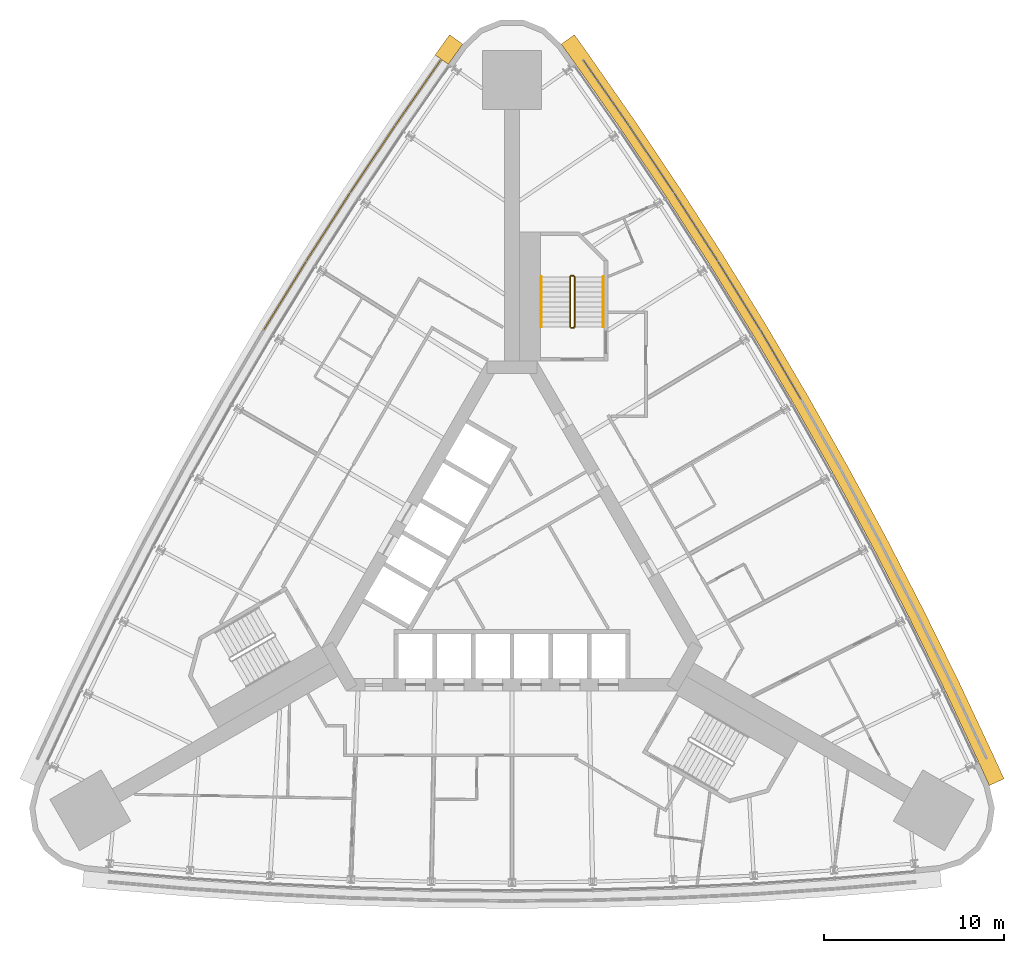
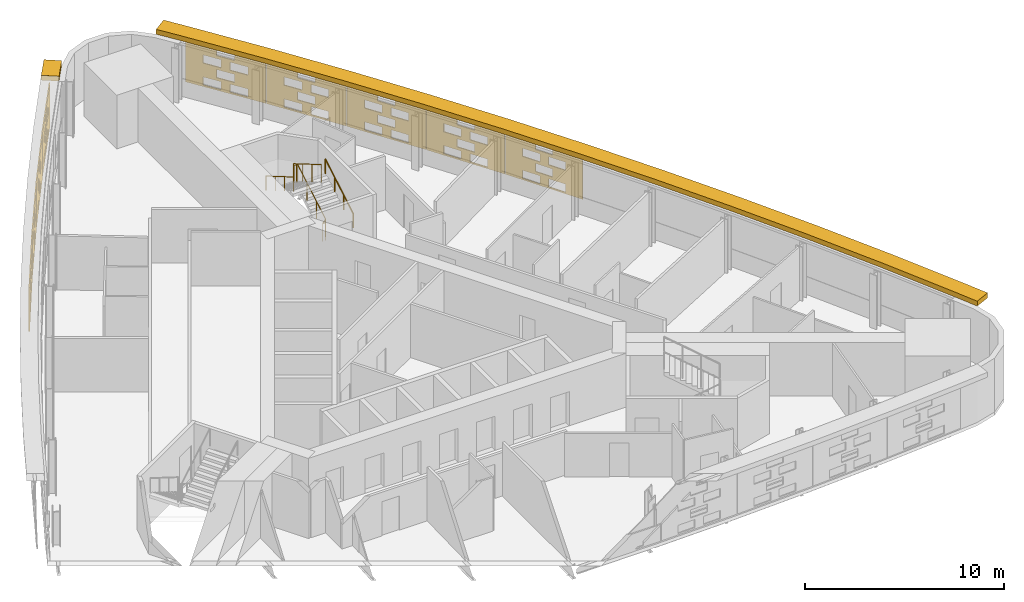
# One storey, part 15 of 15: 11 shading devices, 3 railings.
"""IFC4 building model written with IfcOpenShell, lengths in metres."""

from ifc_helpers import new_model, si_unit, direction, frame, origin, origin_2d, place, context, subcontext, project, spatial, polyline, circle, outline, extrude, material, material_profile, profile_set, type_object, element, save


model = new_model("IFC4")

# Units and contexts
model_context = context("Model", 3, precision=1e-05, world=origin(), true_north=direction((0.0, 1.0)))
body_context = subcontext(model_context, "Body", "Model", "MODEL_VIEW")
ifc_project = project(units=[si_unit("LENGTHUNIT", "METRE"), si_unit("AREAUNIT", "SQUARE_METRE"), si_unit("VOLUMEUNIT", "CUBIC_METRE"), si_unit("PLANEANGLEUNIT", "RADIAN"), si_unit("MASSUNIT", "GRAM", prefix="KILO")], contexts=[model_context])

# Site, building, storey
site_placement = place(None, origin())
site = spatial("IfcSite", under=ifc_project, at=site_placement, CompositionType="ELEMENT")
building_placement = place(site_placement, origin())
building = spatial("IfcBuilding", under=site, at=building_placement, Name="Noor Cloister Tower", CompositionType="ELEMENT")
storey_placement = place(building_placement, frame((0.0, 0.0, 49.199951171875)))
storey = spatial("IfcBuildingStorey", under=building, at=storey_placement, Name="L12", CompositionType="ELEMENT", Elevation=49.199951171875)

# Shading devices
ifc_material_1 = material(Name="Limestone", Category="masonry")
ifc_material_profile = material_profile(ifc_material_1, outline(polyline([(-2.22998046875, -1.35009765625), (2.22998046875, -1.35009765625), (2.22998046875, 1.35009765625), (-2.22998046875, 1.35009765625), (-2.22998046875, -1.35009765625)]), holes=[polyline([(-1.25, -1.263427734375), (-0.25, -1.263427734375), (-0.25, -0.76171875), (-1.25, -0.76171875), (-1.25, -1.263427734375)]), polyline([(0.25, -1.263427734375), (1.25, -1.263427734375), (1.25, -0.76171875), (0.25, -0.76171875), (0.25, -1.263427734375)]), polyline([(-0.5, -0.58837890625), (0.5, -0.58837890625), (0.5, -0.086669921875), (-0.5, -0.086669921875), (-0.5, -0.58837890625)]), polyline([(-1.25, 0.086669921875), (-0.25, 0.086669921875), (-0.25, 0.58837890625), (-1.25, 0.58837890625), (-1.25, 0.086669921875)]), polyline([(0.25, 0.086669921875), (1.25, 0.086669921875), (1.25, 0.58837890625), (0.25, 0.58837890625), (0.25, 0.086669921875)]), polyline([(-0.5, 0.76171875), (0.5, 0.76171875), (0.5, 1.263427734375), (-0.5, 1.263427734375), (-0.5, 0.76171875)])]), Name="Woven screen 25 percent open")
ifc_profile_set = profile_set([ifc_material_profile], Name="Limestone")
shading_device_type_1 = type_object("IfcShadingDeviceType", Name="SCREEN woven limestone 25 percent open", PredefinedType="USERDEFINED", material=ifc_profile_set)
shading_device_1_placement = place(storey_placement, frame((-5.203857421875, 26.402099609375, 1.85009765625), z_axis=(-0.820572225759, 0.571542843812, 0.0), x_axis=(-0.571542843812, -0.820572225759, 0.0)))
element("IfcShadingDevice", 1, at=shading_device_1_placement, inside=storey, type_object=shading_device_type_1, Name="SCREEN L12 1", ObjectType="SCREEN", PredefinedType="USERDEFINED", context=body_context, shape_type="SweptSolid", body=[
    extrude(outline(polyline([(-2.22998046875, -1.35009765625), (2.22998046875, -1.35009765625), (2.22998046875, 1.35009765625), (-2.22998046875, 1.35009765625), (-2.22998046875, -1.35009765625)]), holes=[polyline([(-1.25, -1.263427734375), (-0.25, -1.263427734375), (-0.25, -0.76171875), (-1.25, -0.76171875), (-1.25, -1.263427734375)]), polyline([(0.25, -1.263427734375), (1.25, -1.263427734375), (1.25, -0.76171875), (0.25, -0.76171875), (0.25, -1.263427734375)]), polyline([(-0.5, -0.58837890625), (0.5, -0.58837890625), (0.5, -0.086669921875), (-0.5, -0.086669921875), (-0.5, -0.58837890625)]), polyline([(-1.25, 0.086669921875), (-0.25, 0.086669921875), (-0.25, 0.58837890625), (-1.25, 0.58837890625), (-1.25, 0.086669921875)]), polyline([(0.25, 0.086669921875), (1.25, 0.086669921875), (1.25, 0.58837890625), (0.25, 0.58837890625), (0.25, 0.086669921875)]), polyline([(-0.5, 0.76171875), (0.5, 0.76171875), (0.5, 1.263427734375), (-0.5, 1.263427734375), (-0.5, 0.76171875)])]), origin(), (0.0, 0.0, 1.0), 0.059814453125),
])
for number, where, z_axis, x_axis, name in (
    (2, (-7.74658203125, 22.67919921875, 1.85009765625), (-0.830167318038, 0.557514326329, 0.0), (-0.557514326329, -0.830167318038, 0.0), "SCREEN L12 2"),
    (3, (-10.218505859375, 18.9091796875, 1.85009765625), (-0.841310503427, 0.540552159207, 0.0), (-0.540552159207, -0.841310503427, 0.0), "SCREEN L12 3"),
    (4, (-12.61865234375, 15.093017578125, 1.85009765625), (-0.850958576931, 0.525232805857, 0.0), (-0.525232805857, -0.850958576931, 0.0), "SCREEN L12 4"),
    (5, (14.9462890625, 11.232177734375, 1.85009765625), (0.863187603129, 0.504883315038, 0.0), (-0.504883315038, 0.863187603129, 0.0), "SCREEN L12 6"),
    (6, (12.61865234375, 15.093017578125, 1.85009765625), (0.850958576931, 0.525232805857, 0.0), (-0.525232805857, 0.850958576931, 0.0), "SCREEN L12 7"),
    (7, (10.218505859375, 18.9091796875, 1.85009765625), (0.841310503427, 0.540552159207, 0.0), (-0.540552159207, 0.841310503427, 0.0), "SCREEN L12 8"),
    (8, (7.74658203125, 22.67919921875, 1.85009765625), (0.830167318038, 0.557514326329, 0.0), (-0.557514326329, 0.830167318038, 0.0), "SCREEN L12 9"),
):
    element("IfcShadingDevice", number, at=place(storey_placement, frame(where, z_axis=z_axis, x_axis=x_axis)), inside=storey, type_object=shading_device_type_1, Name=name, ObjectType="SCREEN", PredefinedType="USERDEFINED", context=body_context, shape_type="SweptSolid", body=[
        extrude(outline(polyline([(-2.22998046875, -1.35009765625), (2.22998046875, -1.35009765625), (2.22998046875, 1.35009765625), (-2.22998046875, 1.35009765625), (-2.22998046875, -1.35009765625)]), holes=[polyline([(-1.25, -1.263427734375), (-0.25, -1.263427734375), (-0.25, -0.76171875), (-1.25, -0.76171875), (-1.25, -1.263427734375)]), polyline([(0.25, -1.263427734375), (1.25, -1.263427734375), (1.25, -0.76171875), (0.25, -0.76171875), (0.25, -1.263427734375)]), polyline([(-0.5, -0.58837890625), (0.5, -0.58837890625), (0.5, -0.086669921875), (-0.5, -0.086669921875), (-0.5, -0.58837890625)]), polyline([(-1.25, 0.086669921875), (-0.25, 0.086669921875), (-0.25, 0.58837890625), (-1.25, 0.58837890625), (-1.25, 0.086669921875)]), polyline([(0.25, 0.086669921875), (1.25, 0.086669921875), (1.25, 0.58837890625), (0.25, 0.58837890625), (0.25, 0.086669921875)]), polyline([(-0.5, 0.76171875), (0.5, 0.76171875), (0.5, 1.263427734375), (-0.5, 1.263427734375), (-0.5, 0.76171875)])]), origin(), (0.0, 0.0, 1.0), 0.06005859375),
    ])
shading_device_2_placement = place(storey_placement, frame((5.203857421875, 26.402099609375, 1.85009765625), z_axis=(0.820572225759, 0.571542843812, 0.0), x_axis=(-0.571542843812, 0.820572225759, 0.0)))
element("IfcShadingDevice", 9, at=shading_device_2_placement, inside=storey, type_object=shading_device_type_1, Name="SCREEN L12 10", ObjectType="SCREEN", PredefinedType="USERDEFINED", context=body_context, shape_type="SweptSolid", body=[
    extrude(outline(polyline([(-2.22998046875, -1.35009765625), (2.22998046875, -1.35009765625), (2.22998046875, 1.35009765625), (-2.22998046875, 1.35009765625), (-2.22998046875, -1.35009765625)]), holes=[polyline([(-1.25, -1.263427734375), (-0.25, -1.263427734375), (-0.25, -0.76171875), (-1.25, -0.76171875), (-1.25, -1.263427734375)]), polyline([(0.25, -1.263427734375), (1.25, -1.263427734375), (1.25, -0.76171875), (0.25, -0.76171875), (0.25, -1.263427734375)]), polyline([(-0.5, -0.58837890625), (0.5, -0.58837890625), (0.5, -0.086669921875), (-0.5, -0.086669921875), (-0.5, -0.58837890625)]), polyline([(-1.25, 0.086669921875), (-0.25, 0.086669921875), (-0.25, 0.58837890625), (-1.25, 0.58837890625), (-1.25, 0.086669921875)]), polyline([(0.25, 0.086669921875), (1.25, 0.086669921875), (1.25, 0.58837890625), (0.25, 0.58837890625), (0.25, 0.086669921875)]), polyline([(-0.5, 0.76171875), (0.5, 0.76171875), (0.5, 1.263427734375), (-0.5, 1.263427734375), (-0.5, 0.76171875)])]), origin(), (0.0, 0.0, 1.0), 0.059814453125),
])
ifc_material_2 = material(Name="Limestone", Category="masonry")
shading_device_type_2 = type_object("IfcShadingDeviceType", Name="SUNSHADE limestone band 900", PredefinedType="USERDEFINED", material=ifc_material_2)
shading_device_3_placement = place(storey_placement, frame((0.0, 0.0, 3.300048828125)))
element("IfcShadingDevice", 10, at=shading_device_3_placement, inside=storey, type_object=shading_device_type_2, Name="SUNSHADE L12 3", ObjectType="SUNSHADE", PredefinedType="USERDEFINED", context=body_context, shape_type="SweptSolid", body=[
    extrude(outline(polyline([(27.4052734375, -11.808837890625), (26.831787109375, -10.54541015625), (24.915283203125, -6.45849609375), (22.92041015625, -2.40576171875), (20.849365234375, 1.6083984375), (18.702880859375, 5.58251953125), (16.4814453125, 9.515625), (14.18603515625, 13.40576171875), (11.817626953125, 17.251953125), (9.376708984375, 21.052734375), (6.864501953125, 24.806396484375), (4.283203125, 28.509765625), (3.475830078125, 29.63818359375), (2.743896484375, 29.1142578125), (3.548095703125, 27.990478515625), (6.12109375, 24.298828125), (8.6240234375, 20.55908203125), (11.0556640625, 16.77294921875), (13.415283203125, 12.941162109375), (15.7021484375, 9.065673828125), (17.9150390625, 5.1474609375), (20.053466796875, 1.18798828125), (22.11669921875, -2.81103515625), (24.10400390625, -6.848388671875), (26.014404296875, -10.922607421875), (26.585693359375, -12.180908203125), (27.4052734375, -11.808837890625)])), origin(), (0.0, 0.0, 1.0), 0.300048828125),
])
shading_device_4_placement = place(storey_placement, frame((0.0, 0.0, 3.300048828125)))
element("IfcShadingDevice", 11, at=shading_device_4_placement, inside=storey, type_object=shading_device_type_2, Name="SUNSHADE L12 4", ObjectType="SUNSHADE", PredefinedType="USERDEFINED", context=body_context, shape_type="SweptSolid", body=[
    extrude(outline(polyline([(-3.475830078125, 29.63818359375), (-4.280029296875, 28.51416015625), (-3.548095703125, 27.990478515625), (-2.743896484375, 29.1142578125), (-3.475830078125, 29.63818359375)])), origin(), (0.0, 0.0, 1.0), 0.300048828125),
])

# Railings
ifc_material_3 = material(Name="Stainless steel", Category="steel")
railing_type_1 = type_object("IfcRailingType", Name="Stair guard 1100", PredefinedType="GUARDRAIL", material=ifc_material_3)
railing_1_placement = place(storey_placement, frame((3.435546875, 13.306396484375, 0.0)))
element("IfcRailing", 12, at=railing_1_placement, inside=storey, type_object=railing_type_1, Name="Stair guard ST1 L12", PredefinedType="GUARDRAIL", context=body_context, shape_type="SweptSolid", body=[
    extrude(circle(Radius=0.02392578125, at=origin_2d()), frame((0.0, 0.0, 1.076171875), z_axis=(-1.0, 0.0, 0.0), x_axis=(0.0, -1.0, 0.0)), (0.0, 0.0, 1.0), 0.14990234375),
    extrude(circle(Radius=0.02392578125, at=origin_2d()), frame((-0.14990234375, 0.0, 1.076171875), z_axis=(0.759870394187, 0.190199549216, 0.621627795), x_axis=(-0.242814311512, 0.970072785993, 0.0)), (0.0, 0.0, 1.0), 0.26318359375),
    extrude(circle(Radius=0.02392578125, at=origin_2d()), frame((0.050048828125, 0.050048828125, 1.23974609375), z_axis=(0.0, 0.863360870873, 0.504586966384), x_axis=(-1.0, 0.0, 0.0)), (0.0, 0.0, 1.0), 3.2431640625),
    extrude(circle(Radius=0.02392578125, at=origin_2d()), frame((0.050048828125, 2.85009765625, 2.8759765625), z_axis=(-0.708833529934, 0.705375805398, 0.0), x_axis=(-0.705375805398, -0.708833529934, 0.0)), (0.0, 0.0, 1.0), 0.070556640625),
    extrude(circle(Radius=0.02392578125, at=origin_2d()), frame((0.0, 2.89990234375, 2.8759765625), z_axis=(-1.0, 0.0, 0.0), x_axis=(0.0, -1.0, 0.0)), (0.0, 0.0, 1.0), 0.14990234375),
    extrude(circle(Radius=0.02392578125, at=origin_2d()), frame((-0.14990234375, 2.89990234375, 2.8759765625), z_axis=(-0.280916556609, -0.279546231943, 0.91811752648), x_axis=(0.705375805398, -0.708833529934, 0.0)), (0.0, 0.0, 1.0), 0.17822265625),
    extrude(circle(Radius=0.02392578125, at=origin_2d()), frame((-0.199951171875, 2.85009765625, 3.03955078125), z_axis=(0.0, -0.863360870873, 0.504586966384), x_axis=(1.0, 0.0, 0.0)), (0.0, 0.0, 1.0), 3.2431640625),
    extrude(circle(Radius=0.02099609375, at=origin_2d()), origin(), (0.0, 0.0, 1.0), 1.052001953125),
    extrude(circle(Radius=0.02099609375, at=origin_2d()), frame((-0.14990234375, 0.0, 0.0)), (0.0, 0.0, 1.0), 1.052001953125),
    extrude(circle(Radius=0.02099609375, at=origin_2d()), frame((0.050048828125, 0.050048828125, 0.16357421875)), (0.0, 0.0, 1.0), 1.052001953125),
    extrude(circle(Radius=0.02099609375, at=origin_2d()), frame((0.050048828125, 0.9833984375, 0.708984375)), (0.0, 0.0, 1.0), 1.052001953125),
    extrude(circle(Radius=0.02099609375, at=origin_2d()), frame((0.050048828125, 1.916748046875, 1.254638671875)), (0.0, 0.0, 1.0), 1.052001953125),
    extrude(circle(Radius=0.02099609375, at=origin_2d()), frame((0.050048828125, 2.85009765625, 1.800048828125)), (0.0, 0.0, 1.0), 1.052001953125),
    extrude(circle(Radius=0.02099609375, at=origin_2d()), frame((0.0, 2.89990234375, 1.800048828125)), (0.0, 0.0, 1.0), 1.052001953125),
    extrude(circle(Radius=0.02099609375, at=origin_2d()), frame((-0.14990234375, 2.89990234375, 1.800048828125)), (0.0, 0.0, 1.0), 1.052001953125),
    extrude(circle(Radius=0.02099609375, at=origin_2d()), frame((-0.199951171875, 2.85009765625, 1.963623046875)), (0.0, 0.0, 1.0), 1.052001953125),
    extrude(circle(Radius=0.02099609375, at=origin_2d()), frame((-0.199951171875, 1.916748046875, 2.509033203125)), (0.0, 0.0, 1.0), 1.052001953125),
    extrude(circle(Radius=0.02099609375, at=origin_2d()), frame((-0.199951171875, 0.9833984375, 3.0546875)), (0.0, 0.0, 1.0), 1.052001953125),
    extrude(circle(Radius=0.02099609375, at=origin_2d()), frame((-0.199951171875, 0.050048828125, 3.60009765625)), (0.0, 0.0, 1.0), 1.052001953125),
])
ifc_material_4 = material(Name="Stainless steel", Category="steel")
railing_type_2 = type_object("IfcRailingType", Name="Stair handrail 900", PredefinedType="HANDRAIL", material=ifc_material_4)
railing_2_placement = place(storey_placement, frame((5.085693359375, 13.3564453125, 0.16357421875)))
element("IfcRailing", 13, at=railing_2_placement, inside=storey, type_object=railing_type_2, Name="Stair handrail ST1 L12 1", PredefinedType="HANDRAIL", context=body_context, shape_type="SweptSolid", body=[
    extrude(circle(Radius=0.02392578125, at=origin_2d()), frame((0.0, 0.0, 0.8759765625), z_axis=(0.0, 0.863360870873, 0.504586966384), x_axis=(-1.0, 0.0, 0.0)), (0.0, 0.0, 1.0), 3.2431640625),
    extrude(circle(Radius=0.02099609375, at=origin_2d()), origin(), (0.0, 0.0, 1.0), 0.851806640625),
    extrude(circle(Radius=0.02099609375, at=origin_2d()), frame((0.0, 0.933349609375, 0.54541015625)), (0.0, 0.0, 1.0), 0.851806640625),
    extrude(circle(Radius=0.02099609375, at=origin_2d()), frame((0.0, 1.86669921875, 1.091064453125)), (0.0, 0.0, 1.0), 0.851806640625),
    extrude(circle(Radius=0.02099609375, at=origin_2d()), frame((0.0, 2.800048828125, 1.636474609375)), (0.0, 0.0, 1.0), 0.851806640625),
])
railing_3_placement = place(storey_placement, frame((1.6357421875, 16.156494140625, 1.963623046875)))
element("IfcRailing", 14, at=railing_3_placement, inside=storey, type_object=railing_type_2, Name="Stair handrail ST1 L12 2", PredefinedType="HANDRAIL", context=body_context, shape_type="SweptSolid", body=[
    extrude(circle(Radius=0.02392578125, at=origin_2d()), frame((0.0, 0.0, 0.8759765625), z_axis=(0.0, -0.863360870873, 0.504586966384), x_axis=(1.0, 0.0, 0.0)), (0.0, 0.0, 1.0), 3.2431640625),
    extrude(circle(Radius=0.02099609375, at=origin_2d()), origin(), (0.0, 0.0, 1.0), 0.851806640625),
    extrude(circle(Radius=0.02099609375, at=origin_2d()), frame((0.0, -0.933349609375, 0.54541015625)), (0.0, 0.0, 1.0), 0.851806640625),
    extrude(circle(Radius=0.02099609375, at=origin_2d()), frame((0.0, -1.86669921875, 1.091064453125)), (0.0, 0.0, 1.0), 0.851806640625),
    extrude(circle(Radius=0.02099609375, at=origin_2d()), frame((0.0, -2.800048828125, 1.636474609375)), (0.0, 0.0, 1.0), 0.851806640625),
])

save(model, "model.ifc")
